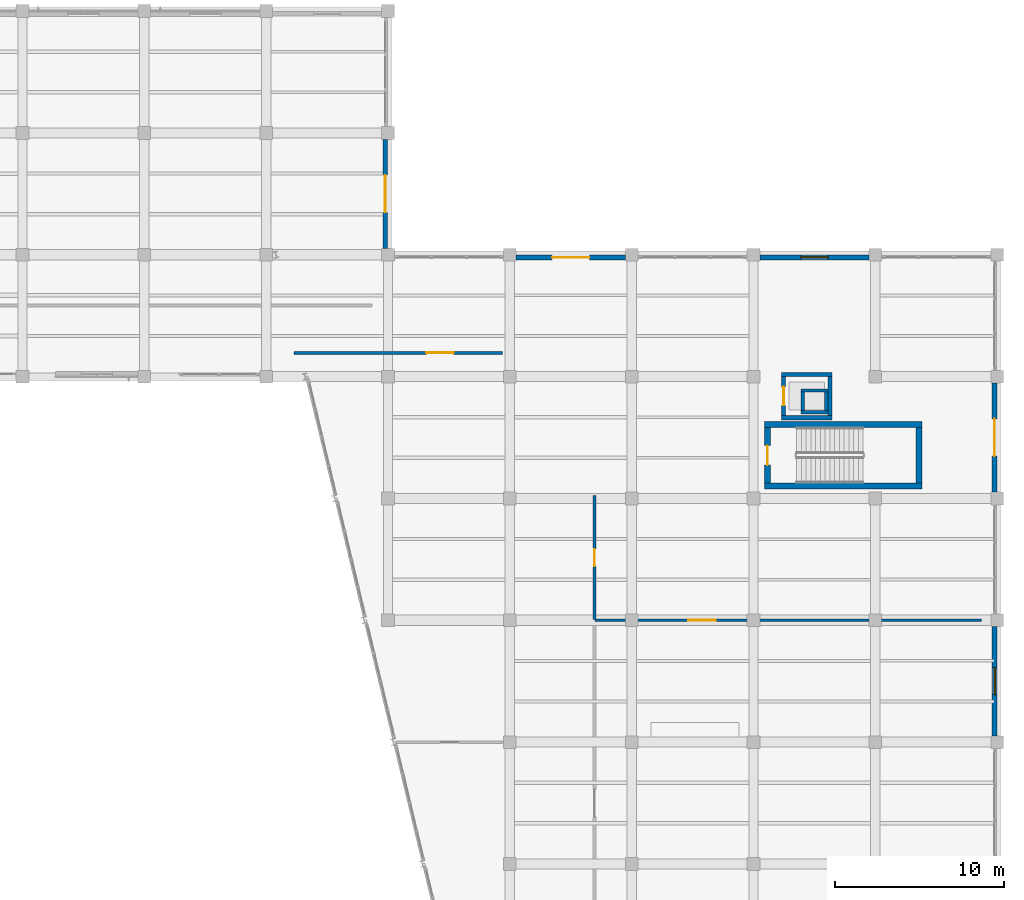
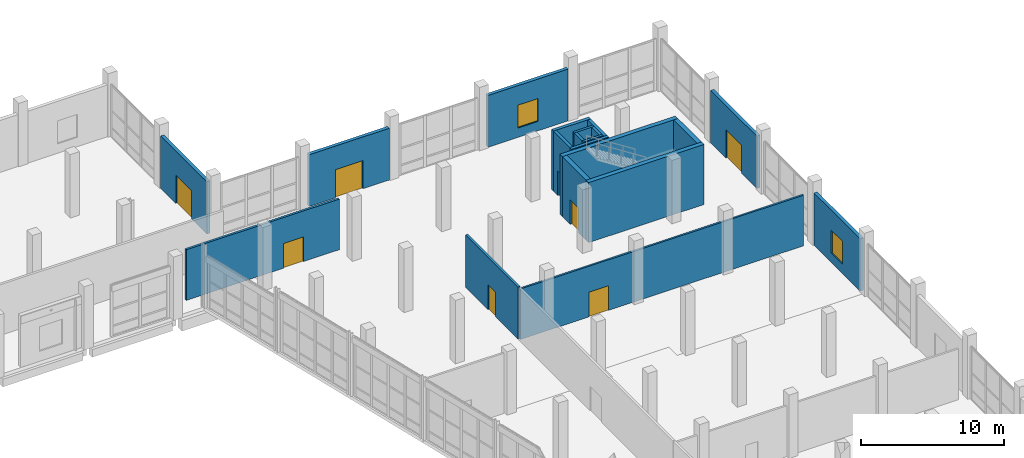
# One storey, part 112 of 137: 20 walls, 8 doors, 2 windows, 10 openings.
"""IFC4 building model written with IfcOpenShell, lengths in metres."""

from ifc_helpers import new_model, si_unit, direction, frame, frame_2d, origin, place, context, subcontext, project, spatial, rectangle, extrude, material, layer, layer_set, type_object, element, fill, save


model = new_model("IFC4")

# Units and contexts
model_context = context("Model", 3, precision=1e-05, world=origin(), true_north=direction((0.0, 1.0)))
body_context = subcontext(model_context, "Body", "Model", "MODEL_VIEW")
ifc_project = project(units=[si_unit("LENGTHUNIT", "METRE"), si_unit("AREAUNIT", "SQUARE_METRE"), si_unit("VOLUMEUNIT", "CUBIC_METRE"), si_unit("PLANEANGLEUNIT", "RADIAN"), si_unit("MASSUNIT", "GRAM", prefix="KILO")], contexts=[model_context])

# Site, building, storey
site_placement = place(None, origin())
site = spatial("IfcSite", under=ifc_project, at=site_placement, CompositionType="ELEMENT")
building_placement = place(site_placement, origin())
building = spatial("IfcBuilding", under=site, at=building_placement, Name="Kalmorath City Hall", CompositionType="ELEMENT")
storey_placement = place(building_placement, origin())
storey = spatial("IfcBuildingStorey", under=building, at=storey_placement, Name="L00", CompositionType="ELEMENT", Elevation=0.0)

# Walls
ifc_material_1 = material(Name="Concrete C50/60", Category="concrete")
ifc_layer_1 = layer(ifc_material_1, 0.35009765625)
ifc_layer_set_1 = layer_set([ifc_layer_1], Name="Concrete C50/60")
wall_type_1 = type_object("IfcWallType", Name="Concrete core shear wall 350", PredefinedType="SHEAR", material=ifc_layer_set_1)
for number, where, z_axis, x_axis, name in (
    (1, (151.85009765625, 87.125, 0.0), (0.0, 0.0, 1.0), (1.0, 0.0, 0.0), "L00 C6 stair core shear wall S"),
    (2, (161.14990234375, 90.77490234375, 0.0), (0.0, 0.0, 1.0), (-1.0, 0.0, 0.0), "L00 C6 stair core shear wall N"),
):
    element("IfcWall", number, at=place(storey_placement, frame(where, z_axis=z_axis, x_axis=x_axis)), inside=storey, type_object=wall_type_1, Name=name, PredefinedType="SHEAR", context=body_context, shape_type="SweptSolid", body=[
        extrude(rectangle(XDim=9.2998046875, YDim=0.35009765625, at=frame_2d((4.64990234375, 0.0))), origin(), (0.0, 0.0, 1.0), 5.1201171875),
    ])

# Wall, opening, door
wall_1_placement = place(storey_placement, frame((152.02490234375, 90.60009765625, 0.0), z_axis=(0.0, 0.0, 1.0), x_axis=(0.0, -1.0, 0.0)))
wall_1 = element("IfcWall", 3, at=wall_1_placement, inside=storey, type_object=wall_type_1, Name="L00 C6 stair core shear wall W", PredefinedType="SHEAR", context=body_context, shape_type="SweptSolid", body=[
    extrude(rectangle(XDim=3.300048828125, YDim=0.35009765625, at=frame_2d((1.64990234375, 0.0))), origin(), (0.0, 0.0, 1.0), 5.1201171875),
])
opening_1_placement = place(wall_1_placement, frame((1.074951171875, 0.0, 0.0)))
opening_1 = element("IfcOpeningElement", 4, at=opening_1_placement, cuts=wall_1, Name="Opening D-L00-098", PredefinedType="OPENING", context=body_context, shape_type="SweptSolid", body=[
    extrude(rectangle(XDim=1.14990234375, YDim=2.10009765625, at=frame_2d((0.574951171875, 1.050048828125))), frame((0.0, 0.18505859375, 0.0), z_axis=(0.0, -1.0, 0.0), x_axis=(1.0, 0.0, 0.0)), (0.0, 0.0, 1.0), 0.3701171875),
])
ifc_material_2 = material(Name="Galvanised steel fire door", Category="steel")
door_type_1 = type_object("IfcDoorType", Name="Stair enclosure 90-min fire door 1150x2100", OperationType="NOTDEFINED", PredefinedType="DOOR", material=ifc_material_2)
door_1_placement = place(opening_1_placement, frame((1.14990234375, 0.0, 0.0), z_axis=(0.0, 0.0, 1.0), x_axis=(-1.0, 0.0, 0.0)))
door_1 = element("IfcDoor", 5, at=door_1_placement, inside=storey, type_object=door_type_1, Name="L00 door D-L00-098", OperationType="SINGLE_SWING_RIGHT", OverallHeight=2.10009765625, OverallWidth=1.14990234375, PredefinedType="DOOR", context=body_context, shape_type="SweptSolid", body=[
    extrude(rectangle(XDim=1.14990234375, YDim=2.10009765625, at=frame_2d((0.574951171875, 1.050048828125))), frame((0.0, 0.02490234375, 0.0), z_axis=(0.0, -1.0, 0.0), x_axis=(1.0, 0.0, 0.0)), (0.0, 0.0, 1.0), 0.050048828125),
])
fill(opening_1, door_1)

# Walls
wall_2_placement = place(storey_placement, frame((160.97509765625, 87.300048828125, 0.0), z_axis=(0.0, 0.0, 1.0), x_axis=(0.0, 1.0, 0.0)))
element("IfcWall", 6, at=wall_2_placement, inside=storey, type_object=wall_type_1, Name="L00 C6 stair core shear wall E", PredefinedType="SHEAR", context=body_context, shape_type="SweptSolid", body=[
    extrude(rectangle(XDim=3.300048828125, YDim=0.35009765625, at=frame_2d((1.64990234375, 0.0))), origin(), (0.0, 0.0, 1.0), 5.1201171875),
])
ifc_material_3 = material(Name="Concrete C50/60", Category="concrete")
ifc_layer_2 = layer(ifc_material_3, 0.25)
ifc_layer_set_2 = layer_set([ifc_layer_2], Name="Concrete C50/60")
wall_type_2 = type_object("IfcWallType", Name="Concrete lift shaft wall 250", PredefinedType="SHEAR", material=ifc_layer_set_2)
for number, where, z_axis, x_axis, name in (
    (7, (152.85009765625, 91.175048828125, 0.0), (0.0, 0.0, 1.0), (1.0, 0.0, 0.0), "L00 PL6 lift shaft wall -y"),
    (8, (155.85009765625, 93.72509765625, 0.0), (0.0, 0.0, 1.0), (-1.0, 0.0, 0.0), "L00 PL6 lift shaft wall +y"),
):
    element("IfcWall", number, at=place(storey_placement, frame(where, z_axis=z_axis, x_axis=x_axis)), inside=storey, type_object=wall_type_2, Name=name, PredefinedType="SHEAR", context=body_context, shape_type="SweptSolid", body=[
        extrude(rectangle(XDim=3.0, YDim=0.25, at=frame_2d((1.5, 0.0))), origin(), (0.0, 0.0, 1.0), 5.1201171875),
    ])

# Wall, opening, door
wall_3_placement = place(storey_placement, frame((152.97509765625, 93.60009765625, 0.0), z_axis=(0.0, 0.0, 1.0), x_axis=(0.0, -1.0, 0.0)))
wall_3 = element("IfcWall", 9, at=wall_3_placement, inside=storey, type_object=wall_type_2, Name="L00 PL6 lift shaft wall -x", PredefinedType="SHEAR", context=body_context, shape_type="SweptSolid", body=[
    extrude(rectangle(XDim=2.300048828125, YDim=0.25, at=frame_2d((1.14990234375, 0.0))), origin(), (0.0, 0.0, 1.0), 5.1201171875),
])
opening_2_placement = place(wall_3_placement, frame((0.60009765625, 0.0, 0.0)))
opening_2 = element("IfcOpeningElement", 10, at=opening_2_placement, cuts=wall_3, Name="Opening LD-101", PredefinedType="OPENING", context=body_context, shape_type="SweptSolid", body=[
    extrude(rectangle(XDim=1.10009765625, YDim=2.10009765625, at=frame_2d((0.550048828125, 1.050048828125))), frame((0.0, 0.135009765625, 0.0), z_axis=(0.0, -1.0, 0.0), x_axis=(1.0, 0.0, 0.0)), (0.0, 0.0, 1.0), 0.27001953125),
])
ifc_material_4 = material(Name="Stainless steel sliding landing door", Category="steel")
door_type_2 = type_object("IfcDoorType", Name="Passenger lift sliding landing door 1100x2100", OperationType="SLIDING_TO_LEFT", PredefinedType="DOOR", material=ifc_material_4)
door_2_placement = place(opening_2_placement, origin())
door_2 = element("IfcDoor", 11, at=door_2_placement, inside=storey, type_object=door_type_2, Name="L00 door LD-101", OperationType="SLIDING_TO_LEFT", OverallHeight=2.10009765625, OverallWidth=1.10009765625, PredefinedType="DOOR", context=body_context, shape_type="SweptSolid", body=[
    extrude(rectangle(XDim=1.10009765625, YDim=2.10009765625, at=frame_2d((0.550048828125, 1.050048828125))), frame((0.0, 0.02490234375, 0.0), z_axis=(0.0, -1.0, 0.0), x_axis=(1.0, 0.0, 0.0)), (0.0, 0.0, 1.0), 0.050048828125),
])
fill(opening_2, door_2)

# Walls
wall_4_placement = place(storey_placement, frame((155.72509765625, 91.300048828125, 0.0), z_axis=(0.0, 0.0, 1.0), x_axis=(0.0, 1.0, 0.0)))
element("IfcWall", 12, at=wall_4_placement, inside=storey, type_object=wall_type_2, Name="L00 PL6 lift shaft wall +x", PredefinedType="SHEAR", context=body_context, shape_type="SweptSolid", body=[
    extrude(rectangle(XDim=2.300048828125, YDim=0.25, at=frame_2d((1.14990234375, 0.0))), origin(), (0.0, 0.0, 1.0), 5.1201171875),
])
ifc_material_5 = material(Name="Concrete C40/50", Category="concrete")
ifc_layer_3 = layer(ifc_material_5, 0.199951171875)
ifc_layer_set_3 = layer_set([ifc_layer_3], Name="Concrete C40/50")
wall_type_3 = type_object("IfcWallType", Name="Concrete service riser wall 200", PredefinedType="SOLIDWALL", material=ifc_layer_set_3)
for number, where, z_axis, x_axis, name in (
    (13, (154.0, 91.5, 0.0), (0.0, 0.0, 1.0), (1.0, 0.0, 0.0), "L00 RSR-5 riser shaft wall S"),
    (14, (155.60009765625, 92.780029296875, 0.0), (0.0, 0.0, 1.0), (-1.0, 0.0, 0.0), "L00 RSR-5 riser shaft wall N"),
):
    element("IfcWall", number, at=place(storey_placement, frame(where, z_axis=z_axis, x_axis=x_axis)), inside=storey, type_object=wall_type_3, Name=name, PredefinedType="SOLIDWALL", context=body_context, shape_type="SweptSolid", body=[
        extrude(rectangle(XDim=1.60009765625, YDim=0.199951171875, at=frame_2d((0.800048828125, 0.0))), origin(), (0.0, 0.0, 1.0), 5.1201171875),
    ])
for number, where, z_axis, x_axis, name in (
    (15, (154.10009765625, 92.679931640625, 0.0), (0.0, 0.0, 1.0), (0.0, -1.0, 0.0), "L00 RSR-5 riser shaft wall W"),
    (16, (155.5, 91.60009765625, 0.0), (0.0, 0.0, 1.0), (0.0, 1.0, 0.0), "L00 RSR-5 riser shaft wall E"),
):
    element("IfcWall", number, at=place(storey_placement, frame(where, z_axis=z_axis, x_axis=x_axis)), inside=storey, type_object=wall_type_3, Name=name, PredefinedType="SOLIDWALL", context=body_context, shape_type="SweptSolid", body=[
        extrude(rectangle(XDim=1.079833984375, YDim=0.199951171875, at=frame_2d((0.5400390625, 0.0))), origin(), (0.0, 0.0, 1.0), 5.1201171875),
    ])

# Wall, opening, door
ifc_material_6 = material(Name="Acoustic metal-stud gypsum partition")
ifc_layer_4 = layer(ifc_material_6, 0.14990234375)
ifc_layer_set_4 = layer_set([ifc_layer_4], Name="Acoustic metal-stud gypsum partition")
wall_type_4 = type_object("IfcWallType", Name="Departmental suite partition 150", PredefinedType="PARTITIONING", material=ifc_layer_set_4)
wall_5_placement = place(storey_placement, frame((141.840087890625, 79.199951171875, 0.0), z_axis=(0.0, 0.0, 1.0), x_axis=(1.0, 0.0, 0.0)))
wall_5 = element("IfcWall", 17, at=wall_5_placement, inside=storey, type_object=wall_type_4, Name="L00 interior partition PW4 #63", PredefinedType="PARTITIONING", context=body_context, shape_type="SweptSolid", body=[
    extrude(rectangle(XDim=22.81982421875, YDim=0.14990234375, at=frame_2d((11.409912109375, 0.0))), origin(), (0.0, 0.0, 1.0), 4.31103515625),
])
opening_3_placement = place(wall_5_placement, frame((5.514892578125, 0.0, 0.0)))
opening_3 = element("IfcOpeningElement", 18, at=opening_3_placement, cuts=wall_5, Name="Opening D-L00-158", PredefinedType="OPENING", context=body_context, shape_type="SweptSolid", body=[
    extrude(rectangle(XDim=1.60009765625, YDim=2.10009765625, at=frame_2d((0.800048828125, 1.050048828125))), frame((0.0, 0.0849609375, 0.0), z_axis=(0.0, -1.0, 0.0), x_axis=(1.0, 0.0, 0.0)), (0.0, 0.0, 1.0), 0.169921875),
])
ifc_material_7 = material(Name="Acoustic hardwood fire door", Category="wood")
door_type_3 = type_object("IfcDoorType", Name="Committee double fire door 1600x2100", OperationType="DOUBLE_DOOR_SINGLE_SWING", PredefinedType="DOOR", material=ifc_material_7)
door_3_placement = place(opening_3_placement, origin())
door_3 = element("IfcDoor", 19, at=door_3_placement, inside=storey, type_object=door_type_3, Name="L00 door D-L00-158", OperationType="DOUBLE_DOOR_SINGLE_SWING", OverallHeight=2.10009765625, OverallWidth=1.60009765625, PredefinedType="DOOR", context=body_context, shape_type="SweptSolid", body=[
    extrude(rectangle(XDim=1.60009765625, YDim=2.10009765625, at=frame_2d((0.800048828125, 1.050048828125))), frame((0.0, 0.02490234375, 0.0), z_axis=(0.0, -1.0, 0.0), x_axis=(1.0, 0.0, 0.0)), (0.0, 0.0, 1.0), 0.050048828125),
])
fill(opening_3, door_3)

ifc_material_8 = material(Name="Precast concrete C40/50", Category="concrete")
ifc_layer_5 = layer(ifc_material_8, 0.27001953125)
ifc_layer_set_5 = layer_set([ifc_layer_5], Name="Precast concrete C40/50")
wall_type_5 = type_object("IfcWallType", Name="Library splayed facade wall 270", PredefinedType="SOLIDWALL", material=ifc_layer_set_5)
wall_6_placement = place(storey_placement, frame((129.43994140625, 107.6240234375, 0.0), z_axis=(0.0, 0.0, 1.0), x_axis=(0.0, -1.0, 0.0)))
wall_6 = element("IfcWall", 20, at=wall_6_placement, inside=storey, type_object=wall_type_5, Name="L00 library wall #89", PredefinedType="SOLIDWALL", context=body_context, shape_type="SweptSolid", body=[
    extrude(rectangle(XDim=6.447998046875, YDim=0.27001953125, at=frame_2d((3.22412109375, 0.0))), origin(), (0.0, 0.0, 1.0), 4.4609375),
])
opening_4_placement = place(wall_6_placement, frame((2.1240234375, 0.0, 0.0)))
opening_4 = element("IfcOpeningElement", 21, at=opening_4_placement, cuts=wall_6, Name="Opening D-E009", PredefinedType="OPENING", context=body_context, shape_type="SweptSolid", body=[
    extrude(rectangle(XDim=2.199951171875, YDim=2.39990234375, at=frame_2d((1.10009765625, 1.199951171875))), frame((0.0, 0.14501953125, 0.0), z_axis=(0.0, -1.0, 0.0), x_axis=(1.0, 0.0, 0.0)), (0.0, 0.0, 1.0), 0.2900390625),
])
ifc_material_9 = material(Name="Bronze-anodised aluminium and glass", Category="aluminium")
door_type_4 = type_object("IfcDoorType", Name="Glazed ceremonial double entrance door 2200x2400", OperationType="DOUBLE_DOOR_SINGLE_SWING", PredefinedType="DOOR", material=ifc_material_9)
door_4_placement = place(opening_4_placement, origin())
door_4 = element("IfcDoor", 22, at=door_4_placement, inside=storey, type_object=door_type_4, Name="L00 exterior door D-E009", OperationType="DOUBLE_DOOR_SINGLE_SWING", OverallHeight=2.39990234375, OverallWidth=2.199951171875, PredefinedType="DOOR", context=body_context, shape_type="SweptSolid", body=[
    extrude(rectangle(XDim=2.199951171875, YDim=2.39990234375, at=frame_2d((1.10009765625, 1.199951171875))), frame((0.0, 0.02490234375, 0.0), z_axis=(0.0, -1.0, 0.0), x_axis=(1.0, 0.0, 0.0)), (0.0, 0.0, 1.0), 0.050048828125),
])
fill(opening_4, door_4)

wall_7_placement = place(storey_placement, frame((137.176025390625, 100.639892578125, 0.0), z_axis=(0.0, 0.0, 1.0), x_axis=(1.0, 0.0, 0.0)))
wall_7 = element("IfcWall", 23, at=wall_7_placement, inside=storey, type_object=wall_type_5, Name="L00 library wall #90", PredefinedType="SOLIDWALL", context=body_context, shape_type="SweptSolid", body=[
    extrude(rectangle(XDim=6.447998046875, YDim=0.27001953125, at=frame_2d((3.22412109375, 0.0))), origin(), (0.0, 0.0, 1.0), 4.410888671875),
])
opening_5_placement = place(wall_7_placement, frame((2.1240234375, 0.0, 0.0)))
opening_5 = element("IfcOpeningElement", 24, at=opening_5_placement, cuts=wall_7, Name="Opening D-E010", PredefinedType="OPENING", context=body_context, shape_type="SweptSolid", body=[
    extrude(rectangle(XDim=2.199951171875, YDim=2.39990234375, at=frame_2d((1.10009765625, 1.199951171875))), frame((0.0, 0.14501953125, 0.0), z_axis=(0.0, -1.0, 0.0), x_axis=(1.0, 0.0, 0.0)), (0.0, 0.0, 1.0), 0.2900390625),
])
door_5_placement = place(opening_5_placement, origin())
door_5 = element("IfcDoor", 25, at=door_5_placement, inside=storey, type_object=door_type_4, Name="L00 exterior door D-E010", OperationType="DOUBLE_DOOR_SINGLE_SWING", OverallHeight=2.39990234375, OverallWidth=2.199951171875, PredefinedType="DOOR", context=body_context, shape_type="SweptSolid", body=[
    extrude(rectangle(XDim=2.199951171875, YDim=2.39990234375, at=frame_2d((1.10009765625, 1.199951171875))), frame((0.0, 0.02490234375, 0.0), z_axis=(0.0, -1.0, 0.0), x_axis=(1.0, 0.0, 0.0)), (0.0, 0.0, 1.0), 0.050048828125),
])
fill(opening_5, door_5)

# Wall, opening, window
wall_8_placement = place(storey_placement, frame((151.575927734375, 100.639892578125, 0.0), z_axis=(0.0, 0.0, 1.0), x_axis=(1.0, 0.0, 0.0)))
wall_8 = element("IfcWall", 26, at=wall_8_placement, inside=storey, type_object=wall_type_5, Name="L00 library wall #91", PredefinedType="SOLIDWALL", context=body_context, shape_type="SweptSolid", body=[
    extrude(rectangle(XDim=6.447998046875, YDim=0.27001953125, at=frame_2d((3.22412109375, 0.0))), origin(), (0.0, 0.0, 1.0), 4.410888671875),
])
opening_6_placement = place(wall_8_placement, frame((2.424072265625, 0.0, 0.800048828125)))
opening_6 = element("IfcOpeningElement", 27, at=opening_6_placement, cuts=wall_8, Name="Opening WN15", PredefinedType="OPENING", context=body_context, shape_type="SweptSolid", body=[
    extrude(rectangle(XDim=1.60009765625, YDim=1.949951171875, at=frame_2d((0.800048828125, 0.97509765625))), frame((0.0, 0.14501953125, 0.0), z_axis=(0.0, -1.0, 0.0), x_axis=(1.0, 0.0, 0.0)), (0.0, 0.0, 1.0), 0.2900390625),
])
ifc_material_10 = material(Name="Bronze-anodised aluminium and glass", Category="aluminium")
window_type = type_object("IfcWindowType", Name="Library stacks window 1600x1950", PartitioningType="SINGLE_PANEL", PredefinedType="WINDOW", material=ifc_material_10)
window_1_placement = place(opening_6_placement, origin())
window_1 = element("IfcWindow", 28, at=window_1_placement, inside=storey, type_object=window_type, Name="L00 window WN15-43", OverallHeight=1.949951171875, OverallWidth=1.60009765625, PartitioningType="SINGLE_PANEL", PredefinedType="WINDOW", context=body_context, shape_type="SweptSolid", body=[
    extrude(rectangle(XDim=1.60009765625, YDim=1.949951171875, at=frame_2d((0.800048828125, 0.97509765625))), frame((0.0, 0.030029296875, 0.0), z_axis=(0.0, -1.0, 0.0), x_axis=(1.0, 0.0, 0.0)), (0.0, 0.0, 1.0), 0.06005859375),
])
fill(opening_6, window_1)

# Wall, opening, door
wall_9_placement = place(storey_placement, frame((165.43994140625, 93.22412109375, 0.0), z_axis=(0.0, 0.0, 1.0), x_axis=(0.0, -1.0, 0.0)))
wall_9 = element("IfcWall", 29, at=wall_9_placement, inside=storey, type_object=wall_type_5, Name="L00 library wall #92", PredefinedType="SOLIDWALL", context=body_context, shape_type="SweptSolid", body=[
    extrude(rectangle(XDim=6.4482421875, YDim=0.27001953125, at=frame_2d((3.22412109375, 0.0))), origin(), (0.0, 0.0, 1.0), 4.4609375),
])
opening_7_placement = place(wall_9_placement, frame((2.1240234375, 0.0, 0.0)))
opening_7 = element("IfcOpeningElement", 30, at=opening_7_placement, cuts=wall_9, Name="Opening D-E011", PredefinedType="OPENING", context=body_context, shape_type="SweptSolid", body=[
    extrude(rectangle(XDim=2.199951171875, YDim=2.39990234375, at=frame_2d((1.10009765625, 1.199951171875))), frame((0.0, 0.14501953125, 0.0), z_axis=(0.0, -1.0, 0.0), x_axis=(1.0, 0.0, 0.0)), (0.0, 0.0, 1.0), 0.2900390625),
])
door_6_placement = place(opening_7_placement, origin())
door_6 = element("IfcDoor", 31, at=door_6_placement, inside=storey, type_object=door_type_4, Name="L00 exterior door D-E011", OperationType="DOUBLE_DOOR_SINGLE_SWING", OverallHeight=2.39990234375, OverallWidth=2.199951171875, PredefinedType="DOOR", context=body_context, shape_type="SweptSolid", body=[
    extrude(rectangle(XDim=2.199951171875, YDim=2.39990234375, at=frame_2d((1.10009765625, 1.199951171875))), frame((0.0, 0.02490234375, 0.0), z_axis=(0.0, -1.0, 0.0), x_axis=(1.0, 0.0, 0.0)), (0.0, 0.0, 1.0), 0.050048828125),
])
fill(opening_7, door_6)

# Wall, opening, window
wall_10_placement = place(storey_placement, frame((165.43994140625, 78.823974609375, 0.0), z_axis=(0.0, 0.0, 1.0), x_axis=(0.0, -1.0, 0.0)))
wall_10 = element("IfcWall", 32, at=wall_10_placement, inside=storey, type_object=wall_type_5, Name="L00 library wall #93", PredefinedType="SOLIDWALL", context=body_context, shape_type="SweptSolid", body=[
    extrude(rectangle(XDim=6.447998046875, YDim=0.27001953125, at=frame_2d((3.22412109375, 0.0))), origin(), (0.0, 0.0, 1.0), 4.4609375),
])
opening_8_placement = place(wall_10_placement, frame((2.424072265625, 0.0, 0.800048828125)))
opening_8 = element("IfcOpeningElement", 33, at=opening_8_placement, cuts=wall_10, Name="Opening WN15", PredefinedType="OPENING", context=body_context, shape_type="SweptSolid", body=[
    extrude(rectangle(XDim=1.60009765625, YDim=1.949951171875, at=frame_2d((0.800048828125, 0.97509765625))), frame((0.0, 0.14501953125, 0.0), z_axis=(0.0, -1.0, 0.0), x_axis=(1.0, 0.0, 0.0)), (0.0, 0.0, 1.0), 0.2900390625),
])
window_2_placement = place(opening_8_placement, origin())
window_2 = element("IfcWindow", 34, at=window_2_placement, inside=storey, type_object=window_type, Name="L00 window WN15-44", OverallHeight=1.949951171875, OverallWidth=1.60009765625, PartitioningType="SINGLE_PANEL", PredefinedType="WINDOW", context=body_context, shape_type="SweptSolid", body=[
    extrude(rectangle(XDim=1.60009765625, YDim=1.949951171875, at=frame_2d((0.800048828125, 0.97509765625))), frame((0.0, 0.030029296875, 0.0), z_axis=(0.0, -1.0, 0.0), x_axis=(1.0, 0.0, 0.0)), (0.0, 0.0, 1.0), 0.06005859375),
])
fill(opening_8, window_2)

# Wall, opening, door
ifc_material_11 = material(Name="Fire-rated acoustic gypsum partition")
ifc_layer_6 = layer(ifc_material_11, 0.179931640625)
ifc_layer_set_6 = layer_set([ifc_layer_6], Name="Fire-rated acoustic gypsum partition")
wall_type_6 = type_object("IfcWallType", Name="One-hour corridor fire partition 180", PredefinedType="PARTITIONING", material=ifc_layer_set_6)
wall_11_placement = place(storey_placement, frame((124.0400390625, 95.0, 0.0), z_axis=(0.0, 0.0, 1.0), x_axis=(1.0, 0.0, 0.0)))
wall_11 = element("IfcWall", 35, at=wall_11_placement, inside=storey, type_object=wall_type_6, Name="L00 interior partition PW2 #43", PredefinedType="PARTITIONING", context=body_context, shape_type="SweptSolid", body=[
    extrude(rectangle(XDim=12.320068359375, YDim=0.179931640625, at=frame_2d((6.16015625, 0.0))), origin(), (0.0, 0.0, 1.0), 4.31103515625),
])
opening_9_placement = place(wall_11_placement, frame((7.830078125, 0.0, 0.0)))
opening_9 = element("IfcOpeningElement", 36, at=opening_9_placement, cuts=wall_11, Name="Opening D-L00-159", PredefinedType="OPENING", context=body_context, shape_type="SweptSolid", body=[
    extrude(rectangle(XDim=1.60009765625, YDim=2.10009765625, at=frame_2d((0.800048828125, 1.050048828125))), frame((0.0, 0.099853515625, 0.0), z_axis=(0.0, -1.0, 0.0), x_axis=(1.0, 0.0, 0.0)), (0.0, 0.0, 1.0), 0.199951171875),
])
door_7_placement = place(opening_9_placement, origin())
door_7 = element("IfcDoor", 37, at=door_7_placement, inside=storey, type_object=door_type_3, Name="L00 door D-L00-159", OperationType="DOUBLE_DOOR_SINGLE_SWING", OverallHeight=2.10009765625, OverallWidth=1.60009765625, PredefinedType="DOOR", context=body_context, shape_type="SweptSolid", body=[
    extrude(rectangle(XDim=1.60009765625, YDim=2.10009765625, at=frame_2d((0.800048828125, 1.050048828125))), frame((0.0, 0.02490234375, 0.0), z_axis=(0.0, -1.0, 0.0), x_axis=(1.0, 0.0, 0.0)), (0.0, 0.0, 1.0), 0.050048828125),
])
fill(opening_9, door_7)

wall_12_placement = place(storey_placement, frame((141.800048828125, 79.239990234375, 0.0), z_axis=(0.0, 0.0, 1.0), x_axis=(0.0, 1.0, 0.0)))
wall_12 = element("IfcWall", 38, at=wall_12_placement, inside=storey, type_object=wall_type_6, Name="L00 interior partition PW2 #46", PredefinedType="PARTITIONING", context=body_context, shape_type="SweptSolid", body=[
    extrude(rectangle(XDim=7.320068359375, YDim=0.179931640625, at=frame_2d((3.66015625, 0.0))), origin(), (0.0, 0.0, 1.0), 4.449951171875),
])
opening_10_placement = place(wall_12_placement, frame((3.159912109375, 0.0, 0.0)))
opening_10 = element("IfcOpeningElement", 39, at=opening_10_placement, cuts=wall_12, Name="Opening D-L00-160", PredefinedType="OPENING", context=body_context, shape_type="SweptSolid", body=[
    extrude(rectangle(XDim=1.0, YDim=2.10009765625, at=frame_2d((0.5, 1.050048828125))), frame((0.0, 0.099853515625, 0.0), z_axis=(0.0, -1.0, 0.0), x_axis=(1.0, 0.0, 0.0)), (0.0, 0.0, 1.0), 0.199951171875),
])
ifc_material_12 = material(Name="Hardwood fire door", Category="wood")
door_type_5 = type_object("IfcDoorType", Name="Corridor 60-min fire door 1000x2100", OperationType="NOTDEFINED", PredefinedType="DOOR", material=ifc_material_12)
door_8_placement = place(opening_10_placement, origin())
door_8 = element("IfcDoor", 40, at=door_8_placement, inside=storey, type_object=door_type_5, Name="L00 door D-L00-160", OperationType="SINGLE_SWING_RIGHT", OverallHeight=2.10009765625, OverallWidth=1.0, PredefinedType="DOOR", context=body_context, shape_type="SweptSolid", body=[
    extrude(rectangle(XDim=1.0, YDim=2.10009765625, at=frame_2d((0.5, 1.050048828125))), frame((0.0, 0.02490234375, 0.0), z_axis=(0.0, -1.0, 0.0), x_axis=(1.0, 0.0, 0.0)), (0.0, 0.0, 1.0), 0.050048828125),
])
fill(opening_10, door_8)

save(model, "model.ifc")
